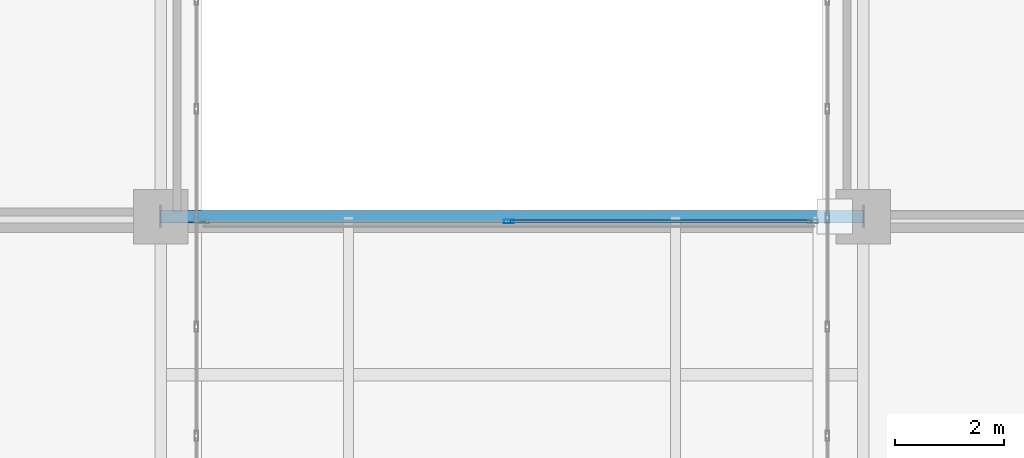
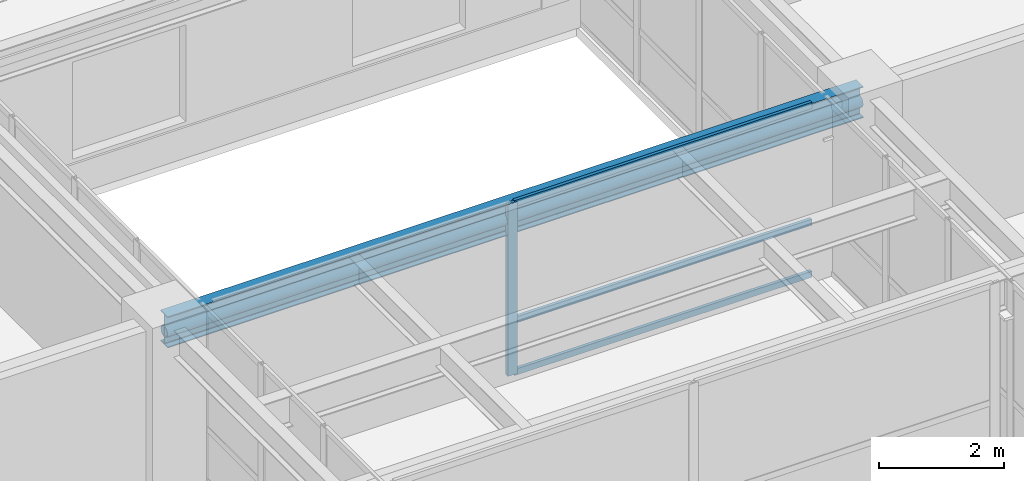
# One storey, part 4 of 31: 5 members, 1 beam, 1 element without a shape of its own.
"""IFC4 building model written with IfcOpenShell, lengths in metres."""

from ifc_helpers import new_model, si_unit, direction, frame, origin, origin_2d, place, context, subcontext, project, spatial, hollow_rectangle, hollow_circle, i_section, extrude, source, transform, mapped, material, layer, layer_set, material_profile, profile_set, type_object, type_shapes, element, aggregate, save


model = new_model("IFC4")

# Units and contexts
model_context = context("Model", 3, precision=1e-05, world=origin(), true_north=direction((0.0, 1.0)))
body_context = subcontext(model_context, "Body", "Model", "MODEL_VIEW")
ifc_project = project(units=[si_unit("LENGTHUNIT", "METRE"), si_unit("AREAUNIT", "SQUARE_METRE"), si_unit("VOLUMEUNIT", "CUBIC_METRE"), si_unit("PLANEANGLEUNIT", "RADIAN"), si_unit("MASSUNIT", "GRAM", prefix="KILO")], contexts=[model_context])

# Site, building, storey
site_placement = place(None, origin())
site = spatial("IfcSite", under=ifc_project, at=site_placement, CompositionType="ELEMENT")
building_placement = place(site_placement, origin())
building = spatial("IfcBuilding", under=site, at=building_placement, Name="Tolvann Quenvar Hotel", CompositionType="ELEMENT")
storey_placement = place(building_placement, frame((0.0, 0.0, 74.60009765625)))
storey = spatial("IfcBuildingStorey", under=building, at=storey_placement, Name="L18", CompositionType="ELEMENT", Elevation=74.60009765625)

# Beam
ifc_material_1 = material(Name="Steel Grade 350", Category="steel")
ifc_material_profile_1 = material_profile(ifc_material_1, i_section(OverallWidth=0.22900390625, OverallDepth=0.612060546875, WebThickness=0.011962890625, FlangeThickness=0.01953125, FilletRadius=0.013916015625, at=origin_2d()), Name="610UB125")
ifc_profile_set_1 = profile_set([ifc_material_profile_1], Name="Steel Grade 350")
beam_type = type_object("IfcBeamType", Name="BM_GIRD_610UB125", PredefinedType="BEAM", material=ifc_profile_set_1)
shared_shape_1 = source(origin(), body_context, "Body", "SweptSolid", [
    extrude(i_section(OverallWidth=0.22900390625, OverallDepth=0.612060546875, WebThickness=0.011962890625, FlangeThickness=0.01953125, FilletRadius=0.013916015625, at=origin_2d()), origin(), (0.0, 0.0, 1.0), 12.89990234375),
])
type_shapes(beam_type, [shared_shape_1])
beam_placement = place(storey_placement, frame((22.050048828125, 8.199951171875, 3.06396484375), z_axis=(1.0, 0.0, 0.0), x_axis=(0.0, 1.0, 0.0)))
element("IfcBeam", 1, at=beam_placement, inside=storey, type_object=beam_type, Name="Skybridge Longitudinal Support Girder (L19-N)", PredefinedType="BEAM", context=body_context, shape_type="MappedRepresentation", body=[
    mapped(shared_shape_1, transform((0.0, 0.0, 0.0), x_axis=(1.0, 0.0, 0.0), y_axis=(0.0, 1.0, 0.0), z_axis=(0.0, 0.0, 1.0), scale=1.0)),
])

# Member
ifc_material_2 = material(Name="Steel Grade 450 (C450L0)", Category="steel")
ifc_material_profile_2 = material_profile(ifc_material_2, hollow_circle(Radius=0.109619140625, WallThickness=0.00830078125, at=origin_2d()), Name="219.1x8.2CHS")
ifc_profile_set_2 = profile_set([ifc_material_profile_2], Name="Steel Grade 450 (C450L0)")
member_type_1 = type_object("IfcMemberType", Name="MEM_BRG_219CHS", PredefinedType="BRACE", material=ifc_profile_set_2)
shared_shape_2 = source(origin(), body_context, "Body", "SweptSolid", [
    extrude(hollow_circle(Radius=0.109619140625, WallThickness=0.00830078125, at=origin_2d()), origin(), (0.0, 0.0, 1.0), 12.89990234375),
])
type_shapes(member_type_1, [shared_shape_2])
member_1_placement = place(storey_placement, frame((22.050048828125, 8.199951171875, 3.02001953125), z_axis=(1.0, 0.0, 0.0), x_axis=(0.0, 1.0, 0.0)))
element("IfcMember", 2, at=member_1_placement, inside=storey, type_object=member_type_1, Name="Skybridge Tie Strut (L18)", PredefinedType="BRACE", context=body_context, shape_type="MappedRepresentation", body=[
    mapped(shared_shape_2, transform((0.0, 0.0, 0.0), x_axis=(1.0, 0.0, 0.0), y_axis=(0.0, 1.0, 0.0), z_axis=(0.0, 0.0, 1.0), scale=1.0)),
])

# Curtain wall, members
ifc_material_3 = material(Name="Thermally broken anodised architectural aluminium 6063-T6 and laminated low-E glass", Category="aluminium")
ifc_layer = layer(ifc_material_3, 0.179931640625)
ifc_layer_set = layer_set([ifc_layer], Name="Thermally broken anodised architectural aluminium 6063-T6 and laminated low-E glass")
curtain_wall_type = type_object("IfcCurtainWallType", Name="CW_SYS_SLOT_03", PredefinedType="USERDEFINED", material=ifc_layer_set)
curtain_wall_placement = place(storey_placement, origin())
curtain_wall = element("IfcCurtainWall", 3, at=curtain_wall_placement, inside=storey, type_object=curtain_wall_type, Name="Curtain Wall CW-SLOT-03 (CWR-BRG-L18-N)", ObjectType="UNITISED CURTAIN WALL", PredefinedType="USERDEFINED")
ifc_material_4 = material(Name="Anodised architectural aluminium 6063-T6 framing", Category="aluminium")
ifc_material_profile_3 = material_profile(ifc_material_4, hollow_rectangle(XDim=0.070068359375, YDim=0.179931640625, WallThickness=0.00390625, at=origin_2d()), Name="180x70x4RHS")
ifc_profile_set_3 = profile_set([ifc_material_profile_3], Name="Anodised architectural aluminium 6063-T6 framing")
member_type_2 = type_object("IfcMemberType", Name="CW_MULL_180x70", PredefinedType="MULLION", material=ifc_profile_set_3)
shared_shape_3 = source(origin(), body_context, "Body", "SweptSolid", [
    extrude(hollow_rectangle(XDim=0.070068359375, YDim=0.179931640625, WallThickness=0.00390625, at=origin_2d()), origin(), (0.0, 0.0, 1.0), 3.369873046875),
])
type_shapes(member_type_2, [shared_shape_3])
member_2_placement = place(storey_placement, frame((28.43994140625, 8.110107421875, 0.0), z_axis=(0.0, 0.0, 1.0), x_axis=(0.0, -1.0, 0.0)))
member_2 = element("IfcMember", 4, at=member_2_placement, type_object=member_type_2, Name="CW-SLOT-03 mullion 2", PredefinedType="MULLION", context=body_context, shape_type="MappedRepresentation", body=[
    mapped(shared_shape_3, transform((0.0, 0.0, 0.0), x_axis=(1.0, 0.0, 0.0), y_axis=(0.0, 1.0, 0.0), z_axis=(0.0, 0.0, 1.0), scale=1.0)),
])
ifc_material_profile_4 = material_profile(ifc_material_4, hollow_rectangle(XDim=0.06005859375, YDim=0.1201171875, WallThickness=0.00341796875, at=origin_2d()), Name="120x60x3.5RHS")
ifc_profile_set_4 = profile_set([ifc_material_profile_4], Name="Anodised architectural aluminium 6063-T6 framing")
member_type_3 = type_object("IfcMemberType", Name="CW_TRAN_120x60", PredefinedType="USERDEFINED", material=ifc_profile_set_4)
shared_shape_4 = source(origin(), body_context, "Body", "SweptSolid", [
    extrude(hollow_rectangle(XDim=0.06005859375, YDim=0.1201171875, WallThickness=0.00341796875, at=origin_2d()), origin(), (0.0, 0.0, 1.0), 5.514892578125),
])
type_shapes(member_type_3, [shared_shape_4])
member_3_placement = place(storey_placement, frame((33.989990234375, 8.110107421875, 0.02978515625), z_axis=(-1.0, 0.0, 0.0), x_axis=(0.0, -1.0, 0.0)))
member_3 = element("IfcMember", 5, at=member_3_placement, type_object=member_type_3, Name="CW-SLOT-03 transom 1.1", ObjectType="TRANSOM", PredefinedType="USERDEFINED", context=body_context, shape_type="MappedRepresentation", body=[
    mapped(shared_shape_4, transform((0.0, 0.0, 0.0), x_axis=(1.0, 0.0, 0.0), y_axis=(0.0, 1.0, 0.0), z_axis=(0.0, 0.0, 1.0), scale=1.0)),
])
member_4_placement = place(storey_placement, frame((33.989990234375, 8.110107421875, 1.0498046875), z_axis=(-1.0, 0.0, 0.0), x_axis=(0.0, -1.0, 0.0)))
member_4 = element("IfcMember", 6, at=member_4_placement, type_object=member_type_3, Name="CW-SLOT-03 transom 1.2", ObjectType="TRANSOM", PredefinedType="USERDEFINED", context=body_context, shape_type="MappedRepresentation", body=[
    mapped(shared_shape_4, transform((0.0, 0.0, 0.0), x_axis=(1.0, 0.0, 0.0), y_axis=(0.0, 1.0, 0.0), z_axis=(0.0, 0.0, 1.0), scale=1.0)),
])
member_5_placement = place(storey_placement, frame((33.989990234375, 8.110107421875, 3.33984375), z_axis=(-1.0, 0.0, 0.0), x_axis=(0.0, -1.0, 0.0)))
member_5 = element("IfcMember", 7, at=member_5_placement, type_object=member_type_3, Name="CW-SLOT-03 transom 1.3", ObjectType="TRANSOM", PredefinedType="USERDEFINED", context=body_context, shape_type="MappedRepresentation", body=[
    mapped(shared_shape_4, transform((0.0, 0.0, 0.0), x_axis=(1.0, 0.0, 0.0), y_axis=(0.0, 1.0, 0.0), z_axis=(0.0, 0.0, 1.0), scale=1.0)),
])
aggregate(curtain_wall, [member_2, member_3, member_4, member_5])

save(model, "model.ifc")
